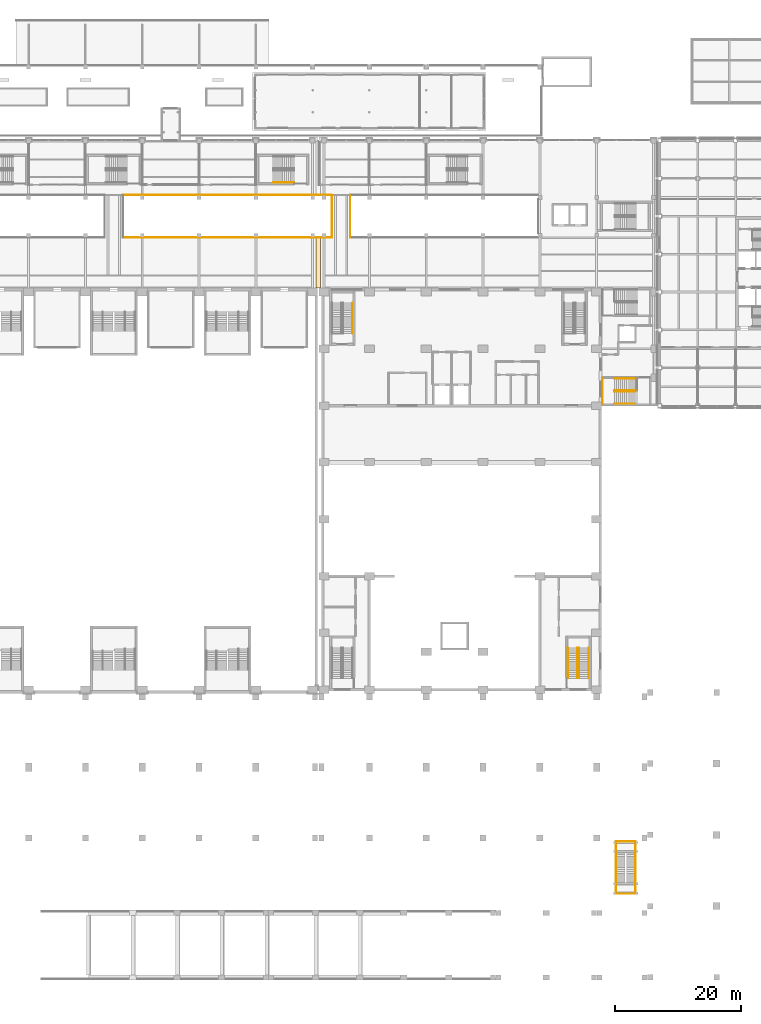
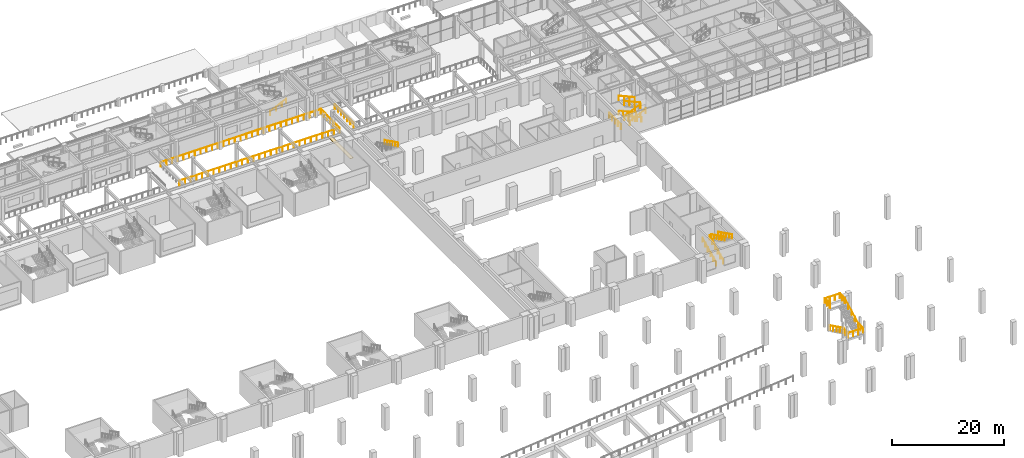
# One storey, part 58 of 67: 19 railings, 1 covering.
"""IFC4 building model written with IfcOpenShell, lengths in metres."""

from ifc_helpers import new_model, si_unit, direction, frame, origin, origin_2d, place, context, subcontext, project, spatial, polyline, circle, outline, extrude, material, layer, layer_set, type_object, element, save


model = new_model("IFC4")

# Units and contexts
model_context = context("Model", 3, precision=1e-05, world=origin(), true_north=direction((0.0, 1.0)))
body_context = subcontext(model_context, "Body", "Model", "MODEL_VIEW")
ifc_project = project(units=[si_unit("LENGTHUNIT", "METRE"), si_unit("AREAUNIT", "SQUARE_METRE"), si_unit("VOLUMEUNIT", "CUBIC_METRE"), si_unit("PLANEANGLEUNIT", "RADIAN"), si_unit("MASSUNIT", "GRAM", prefix="KILO")], contexts=[model_context])

# Site, building, storey
site_placement = place(None, origin())
site = spatial("IfcSite", under=ifc_project, at=site_placement, CompositionType="ELEMENT")
building_placement = place(site_placement, origin())
building = spatial("IfcBuilding", under=site, at=building_placement, Name="Aravalli Gate Trade Fair Centre", CompositionType="ELEMENT")
storey_placement = place(building_placement, frame((0.0, 0.0, 5.0)))
storey = spatial("IfcBuildingStorey", under=building, at=storey_placement, Name="L01", CompositionType="ELEMENT", Elevation=5.0)

# Railings
ifc_material_1 = material(Name="Steel E350", Category="steel")
railing_type_1 = type_object("IfcRailingType", Name="Concourse guard 1100", PredefinedType="GUARDRAIL", material=ifc_material_1)
railing_1_placement = place(storey_placement, frame((74.949951171875, 117.64990234375, 0.0)))
element("IfcRailing", 1, at=railing_1_placement, inside=storey, type_object=railing_type_1, Name="Atrium guard S3 L01", PredefinedType="GUARDRAIL", context=body_context, shape_type="SweptSolid", body=[
    extrude(circle(Radius=0.02392578125, at=origin_2d()), frame((0.0, 0.0, 1.076171875), z_axis=(1.0, 0.0, 0.0), x_axis=(0.0, 1.0, 0.0)), (0.0, 0.0, 1.0), 33.10009765625),
    extrude(circle(Radius=0.02099609375, at=origin_2d()), origin(), (0.0, 0.0, 1.0), 1.052001953125),
    extrude(circle(Radius=0.02099609375, at=origin_2d()), frame((1.18212890625, 0.0, 0.0)), (0.0, 0.0, 1.0), 1.052001953125),
    extrude(circle(Radius=0.02099609375, at=origin_2d()), frame((2.3642578125, 0.0, 0.0)), (0.0, 0.0, 1.0), 1.052001953125),
    extrude(circle(Radius=0.02099609375, at=origin_2d()), frame((3.54638671875, 0.0, 0.0)), (0.0, 0.0, 1.0), 1.052001953125),
    extrude(circle(Radius=0.02099609375, at=origin_2d()), frame((4.728515625, 0.0, 0.0)), (0.0, 0.0, 1.0), 1.052001953125),
    extrude(circle(Radius=0.02099609375, at=origin_2d()), frame((5.91064453125, 0.0, 0.0)), (0.0, 0.0, 1.0), 1.052001953125),
    extrude(circle(Radius=0.02099609375, at=origin_2d()), frame((7.0927734375, 0.0, 0.0)), (0.0, 0.0, 1.0), 1.052001953125),
    extrude(circle(Radius=0.02099609375, at=origin_2d()), frame((8.27490234375, 0.0, 0.0)), (0.0, 0.0, 1.0), 1.052001953125),
    extrude(circle(Radius=0.02099609375, at=origin_2d()), frame((9.457275390625, 0.0, 0.0)), (0.0, 0.0, 1.0), 1.052001953125),
    extrude(circle(Radius=0.02099609375, at=origin_2d()), frame((10.639404296875, 0.0, 0.0)), (0.0, 0.0, 1.0), 1.052001953125),
    extrude(circle(Radius=0.02099609375, at=origin_2d()), frame((11.821533203125, 0.0, 0.0)), (0.0, 0.0, 1.0), 1.052001953125),
    extrude(circle(Radius=0.02099609375, at=origin_2d()), frame((13.003662109375, 0.0, 0.0)), (0.0, 0.0, 1.0), 1.052001953125),
    extrude(circle(Radius=0.02099609375, at=origin_2d()), frame((14.185791015625, 0.0, 0.0)), (0.0, 0.0, 1.0), 1.052001953125),
    extrude(circle(Radius=0.02099609375, at=origin_2d()), frame((15.367919921875, 0.0, 0.0)), (0.0, 0.0, 1.0), 1.052001953125),
    extrude(circle(Radius=0.02099609375, at=origin_2d()), frame((16.550048828125, 0.0, 0.0)), (0.0, 0.0, 1.0), 1.052001953125),
    extrude(circle(Radius=0.02099609375, at=origin_2d()), frame((17.732177734375, 0.0, 0.0)), (0.0, 0.0, 1.0), 1.052001953125),
    extrude(circle(Radius=0.02099609375, at=origin_2d()), frame((18.914306640625, 0.0, 0.0)), (0.0, 0.0, 1.0), 1.052001953125),
    extrude(circle(Radius=0.02099609375, at=origin_2d()), frame((20.096435546875, 0.0, 0.0)), (0.0, 0.0, 1.0), 1.052001953125),
    extrude(circle(Radius=0.02099609375, at=origin_2d()), frame((21.278564453125, 0.0, 0.0)), (0.0, 0.0, 1.0), 1.052001953125),
    extrude(circle(Radius=0.02099609375, at=origin_2d()), frame((22.460693359375, 0.0, 0.0)), (0.0, 0.0, 1.0), 1.052001953125),
    extrude(circle(Radius=0.02099609375, at=origin_2d()), frame((23.642822265625, 0.0, 0.0)), (0.0, 0.0, 1.0), 1.052001953125),
    extrude(circle(Radius=0.02099609375, at=origin_2d()), frame((24.8251953125, 0.0, 0.0)), (0.0, 0.0, 1.0), 1.052001953125),
    extrude(circle(Radius=0.02099609375, at=origin_2d()), frame((26.00732421875, 0.0, 0.0)), (0.0, 0.0, 1.0), 1.052001953125),
    extrude(circle(Radius=0.02099609375, at=origin_2d()), frame((27.189453125, 0.0, 0.0)), (0.0, 0.0, 1.0), 1.052001953125),
    extrude(circle(Radius=0.02099609375, at=origin_2d()), frame((28.37158203125, 0.0, 0.0)), (0.0, 0.0, 1.0), 1.052001953125),
    extrude(circle(Radius=0.02099609375, at=origin_2d()), frame((29.5537109375, 0.0, 0.0)), (0.0, 0.0, 1.0), 1.052001953125),
    extrude(circle(Radius=0.02099609375, at=origin_2d()), frame((30.73583984375, 0.0, 0.0)), (0.0, 0.0, 1.0), 1.052001953125),
    extrude(circle(Radius=0.02099609375, at=origin_2d()), frame((31.91796875, 0.0, 0.0)), (0.0, 0.0, 1.0), 1.052001953125),
    extrude(circle(Radius=0.02099609375, at=origin_2d()), frame((33.10009765625, 0.0, 0.0)), (0.0, 0.0, 1.0), 1.052001953125),
])
railing_2_placement = place(storey_placement, frame((74.949951171875, 124.35009765625, 0.0)))
element("IfcRailing", 2, at=railing_2_placement, inside=storey, type_object=railing_type_1, Name="Atrium guard N3 L01", PredefinedType="GUARDRAIL", context=body_context, shape_type="SweptSolid", body=[
    extrude(circle(Radius=0.02392578125, at=origin_2d()), frame((0.0, 0.0, 1.076171875), z_axis=(1.0, 0.0, 0.0), x_axis=(0.0, 1.0, 0.0)), (0.0, 0.0, 1.0), 33.10009765625),
    extrude(circle(Radius=0.02099609375, at=origin_2d()), origin(), (0.0, 0.0, 1.0), 1.052001953125),
    extrude(circle(Radius=0.02099609375, at=origin_2d()), frame((1.18212890625, 0.0, 0.0)), (0.0, 0.0, 1.0), 1.052001953125),
    extrude(circle(Radius=0.02099609375, at=origin_2d()), frame((2.3642578125, 0.0, 0.0)), (0.0, 0.0, 1.0), 1.052001953125),
    extrude(circle(Radius=0.02099609375, at=origin_2d()), frame((3.54638671875, 0.0, 0.0)), (0.0, 0.0, 1.0), 1.052001953125),
    extrude(circle(Radius=0.02099609375, at=origin_2d()), frame((4.728515625, 0.0, 0.0)), (0.0, 0.0, 1.0), 1.052001953125),
    extrude(circle(Radius=0.02099609375, at=origin_2d()), frame((5.91064453125, 0.0, 0.0)), (0.0, 0.0, 1.0), 1.052001953125),
    extrude(circle(Radius=0.02099609375, at=origin_2d()), frame((7.0927734375, 0.0, 0.0)), (0.0, 0.0, 1.0), 1.052001953125),
    extrude(circle(Radius=0.02099609375, at=origin_2d()), frame((8.27490234375, 0.0, 0.0)), (0.0, 0.0, 1.0), 1.052001953125),
    extrude(circle(Radius=0.02099609375, at=origin_2d()), frame((9.457275390625, 0.0, 0.0)), (0.0, 0.0, 1.0), 1.052001953125),
    extrude(circle(Radius=0.02099609375, at=origin_2d()), frame((10.639404296875, 0.0, 0.0)), (0.0, 0.0, 1.0), 1.052001953125),
    extrude(circle(Radius=0.02099609375, at=origin_2d()), frame((11.821533203125, 0.0, 0.0)), (0.0, 0.0, 1.0), 1.052001953125),
    extrude(circle(Radius=0.02099609375, at=origin_2d()), frame((13.003662109375, 0.0, 0.0)), (0.0, 0.0, 1.0), 1.052001953125),
    extrude(circle(Radius=0.02099609375, at=origin_2d()), frame((14.185791015625, 0.0, 0.0)), (0.0, 0.0, 1.0), 1.052001953125),
    extrude(circle(Radius=0.02099609375, at=origin_2d()), frame((15.367919921875, 0.0, 0.0)), (0.0, 0.0, 1.0), 1.052001953125),
    extrude(circle(Radius=0.02099609375, at=origin_2d()), frame((16.550048828125, 0.0, 0.0)), (0.0, 0.0, 1.0), 1.052001953125),
    extrude(circle(Radius=0.02099609375, at=origin_2d()), frame((17.732177734375, 0.0, 0.0)), (0.0, 0.0, 1.0), 1.052001953125),
    extrude(circle(Radius=0.02099609375, at=origin_2d()), frame((18.914306640625, 0.0, 0.0)), (0.0, 0.0, 1.0), 1.052001953125),
    extrude(circle(Radius=0.02099609375, at=origin_2d()), frame((20.096435546875, 0.0, 0.0)), (0.0, 0.0, 1.0), 1.052001953125),
    extrude(circle(Radius=0.02099609375, at=origin_2d()), frame((21.278564453125, 0.0, 0.0)), (0.0, 0.0, 1.0), 1.052001953125),
    extrude(circle(Radius=0.02099609375, at=origin_2d()), frame((22.460693359375, 0.0, 0.0)), (0.0, 0.0, 1.0), 1.052001953125),
    extrude(circle(Radius=0.02099609375, at=origin_2d()), frame((23.642822265625, 0.0, 0.0)), (0.0, 0.0, 1.0), 1.052001953125),
    extrude(circle(Radius=0.02099609375, at=origin_2d()), frame((24.8251953125, 0.0, 0.0)), (0.0, 0.0, 1.0), 1.052001953125),
    extrude(circle(Radius=0.02099609375, at=origin_2d()), frame((26.00732421875, 0.0, 0.0)), (0.0, 0.0, 1.0), 1.052001953125),
    extrude(circle(Radius=0.02099609375, at=origin_2d()), frame((27.189453125, 0.0, 0.0)), (0.0, 0.0, 1.0), 1.052001953125),
    extrude(circle(Radius=0.02099609375, at=origin_2d()), frame((28.37158203125, 0.0, 0.0)), (0.0, 0.0, 1.0), 1.052001953125),
    extrude(circle(Radius=0.02099609375, at=origin_2d()), frame((29.5537109375, 0.0, 0.0)), (0.0, 0.0, 1.0), 1.052001953125),
    extrude(circle(Radius=0.02099609375, at=origin_2d()), frame((30.73583984375, 0.0, 0.0)), (0.0, 0.0, 1.0), 1.052001953125),
    extrude(circle(Radius=0.02099609375, at=origin_2d()), frame((31.91796875, 0.0, 0.0)), (0.0, 0.0, 1.0), 1.052001953125),
    extrude(circle(Radius=0.02099609375, at=origin_2d()), frame((33.10009765625, 0.0, 0.0)), (0.0, 0.0, 1.0), 1.052001953125),
])
for number, where, name in (
    (3, (108.050048828125, 117.64990234375, 0.0), "Atrium guard BA3 L01"),
    (4, (110.949951171875, 117.64990234375, 0.0), "Atrium guard BB3 L01"),
):
    element("IfcRailing", number, at=place(storey_placement, frame(where)), inside=storey, type_object=railing_type_1, Name=name, PredefinedType="GUARDRAIL", context=body_context, shape_type="SweptSolid", body=[
        extrude(circle(Radius=0.02392578125, at=origin_2d()), frame((0.0, 0.0, 1.076171875), z_axis=(0.0, 1.0, 0.0), x_axis=(-1.0, 0.0, 0.0)), (0.0, 0.0, 1.0), 6.7001953125),
        extrude(circle(Radius=0.02099609375, at=origin_2d()), origin(), (0.0, 0.0, 1.0), 1.052001953125),
        extrude(circle(Radius=0.02099609375, at=origin_2d()), frame((0.0, 1.11669921875, 0.0)), (0.0, 0.0, 1.0), 1.052001953125),
        extrude(circle(Radius=0.02099609375, at=origin_2d()), frame((0.0, 2.2333984375, 0.0)), (0.0, 0.0, 1.0), 1.052001953125),
        extrude(circle(Radius=0.02099609375, at=origin_2d()), frame((0.0, 3.35009765625, 0.0)), (0.0, 0.0, 1.0), 1.052001953125),
        extrude(circle(Radius=0.02099609375, at=origin_2d()), frame((0.0, 4.466796875, 0.0)), (0.0, 0.0, 1.0), 1.052001953125),
        extrude(circle(Radius=0.02099609375, at=origin_2d()), frame((0.0, 5.58349609375, 0.0)), (0.0, 0.0, 1.0), 1.052001953125),
        extrude(circle(Radius=0.02099609375, at=origin_2d()), frame((0.0, 6.7001953125, 0.0)), (0.0, 0.0, 1.0), 1.052001953125),
    ])
railing_type_2 = type_object("IfcRailingType", Name="Concourse stair handrail 900", PredefinedType="HANDRAIL", material=ifc_material_1)
railing_3_placement = place(storey_placement, frame((98.75, 126.35009765625, 1.8056640625)))
element("IfcRailing", 5, at=railing_3_placement, inside=storey, type_object=railing_type_2, Name="Handrail XD L01 flight 2o", PredefinedType="HANDRAIL", context=body_context, shape_type="SweptSolid", body=[
    extrude(circle(Radius=0.02392578125, at=origin_2d()), frame((0.0, 0.0, 0.8759765625), z_axis=(0.907499493834, 0.0, 0.420053173647), x_axis=(0.0, 1.0, 0.0)), (0.0, 0.0, 1.0), 1.322265625),
    extrude(circle(Radius=0.02392578125, at=origin_2d()), frame((1.199951171875, 0.0, 1.43115234375), z_axis=(0.907429102623, 0.0, 0.420205216189), x_axis=(0.0, 1.0, 0.0)), (0.0, 0.0, 1.0), 1.322265625),
    extrude(circle(Radius=0.02392578125, at=origin_2d()), frame((2.39990234375, 0.0, 1.98681640625), z_axis=(0.907555517655, 0.0, 0.419932116387), x_axis=(0.0, 1.0, 0.0)), (0.0, 0.0, 1.0), 0.991943359375),
    extrude(circle(Radius=0.02099609375, at=origin_2d()), origin(), (0.0, 0.0, 1.0), 0.851806640625),
    extrude(circle(Radius=0.02099609375, at=origin_2d()), frame((1.199951171875, 0.0, 0.555419921875)), (0.0, 0.0, 1.0), 0.851806640625),
    extrude(circle(Radius=0.02099609375, at=origin_2d()), frame((2.39990234375, 0.0, 1.111083984375)), (0.0, 0.0, 1.0), 0.851806640625),
    extrude(circle(Radius=0.02099609375, at=origin_2d()), frame((3.300048828125, 0.0, 1.527587890625)), (0.0, 0.0, 1.0), 0.851806640625),
])
railing_type_3 = type_object("IfcRailingType", Name="Congress stair handrail 900", PredefinedType="HANDRAIL", material=ifc_material_1)
for number, where, name in (
    (6, (145.469970703125, 47.800048828125, 0.147216796875), "Handrail GS2 L01 1"),
    (7, (146.949951171875, 47.800048828125, 0.147216796875), "Handrail GS2 L01 2"),
):
    element("IfcRailing", number, at=place(storey_placement, frame(where)), inside=storey, type_object=railing_type_3, Name=name, PredefinedType="HANDRAIL", context=body_context, shape_type="SweptSolid", body=[
        extrude(circle(Radius=0.02392578125, at=origin_2d()), frame((0.0, 0.0, 0.8759765625), z_axis=(0.0, 0.89793417156, 0.440129780343), x_axis=(-1.0, 0.0, 0.0)), (0.0, 0.0, 1.0), 5.345703125),
        extrude(circle(Radius=0.02099609375, at=origin_2d()), origin(), (0.0, 0.0, 1.0), 0.851806640625),
        extrude(circle(Radius=0.02099609375, at=origin_2d()), frame((0.0, 0.9599609375, 0.470458984375)), (0.0, 0.0, 1.0), 0.851806640625),
        extrude(circle(Radius=0.02099609375, at=origin_2d()), frame((0.0, 1.919921875, 0.941162109375)), (0.0, 0.0, 1.0), 0.851806640625),
        extrude(circle(Radius=0.02099609375, at=origin_2d()), frame((0.0, 2.880126953125, 1.41162109375)), (0.0, 0.0, 1.0), 0.851806640625),
        extrude(circle(Radius=0.02099609375, at=origin_2d()), frame((0.0, 3.840087890625, 1.88232421875)), (0.0, 0.0, 1.0), 0.851806640625),
        extrude(circle(Radius=0.02099609375, at=origin_2d()), frame((0.0, 4.800048828125, 2.352783203125)), (0.0, 0.0, 1.0), 0.851806640625),
    ])
for number, where, name in (
    (8, (148.72998046875, 52.60009765625, 2.647216796875), "Handrail GS2 L01 3"),
    (9, (147.25, 52.60009765625, 2.647216796875), "Handrail GS2 L01 4"),
    (10, (111.330078125, 107.25, 2.647216796875), "Handrail GS3 L01 3"),
):
    element("IfcRailing", number, at=place(storey_placement, frame(where)), inside=storey, type_object=railing_type_3, Name=name, PredefinedType="HANDRAIL", context=body_context, shape_type="SweptSolid", body=[
        extrude(circle(Radius=0.02392578125, at=origin_2d()), frame((0.0, 0.0, 0.8759765625), z_axis=(0.0, -0.89793417156, 0.440129780343), x_axis=(1.0, 0.0, 0.0)), (0.0, 0.0, 1.0), 5.345703125),
        extrude(circle(Radius=0.02099609375, at=origin_2d()), origin(), (0.0, 0.0, 1.0), 0.851806640625),
        extrude(circle(Radius=0.02099609375, at=origin_2d()), frame((0.0, -0.9599609375, 0.470458984375)), (0.0, 0.0, 1.0), 0.851806640625),
        extrude(circle(Radius=0.02099609375, at=origin_2d()), frame((0.0, -1.919921875, 0.941162109375)), (0.0, 0.0, 1.0), 0.851806640625),
        extrude(circle(Radius=0.02099609375, at=origin_2d()), frame((0.0, -2.880126953125, 1.41162109375)), (0.0, 0.0, 1.0), 0.851806640625),
        extrude(circle(Radius=0.02099609375, at=origin_2d()), frame((0.0, -3.840087890625, 1.88232421875)), (0.0, 0.0, 1.0), 0.851806640625),
        extrude(circle(Radius=0.02099609375, at=origin_2d()), frame((0.0, -4.800048828125, 2.352783203125)), (0.0, 0.0, 1.0), 0.851806640625),
    ])
railing_type_4 = type_object("IfcRailingType", Name="Edge guard 1100", PredefinedType="GUARDRAIL", material=ifc_material_1)
railing_4_placement = place(storey_placement, frame((153.050048828125, 20.199951171875, 0.147216796875)))
element("IfcRailing", 11, at=railing_4_placement, inside=storey, type_object=railing_type_4, Name="Stair guard 2 L01 A", PredefinedType="GUARDRAIL", context=body_context, shape_type="SweptSolid", body=[
    extrude(circle(Radius=0.02392578125, at=origin_2d()), frame((0.0, 0.0, 1.076171875), z_axis=(0.0, -0.89793417156, 0.440129780343), x_axis=(1.0, 0.0, 0.0)), (0.0, 0.0, 1.0), 5.345703125),
    extrude(circle(Radius=0.02392578125, at=origin_2d()), frame((0.0, -4.800048828125, 3.4287109375), z_axis=(0.0, -1.0, 0.0), x_axis=(1.0, 0.0, 0.0)), (0.0, 0.0, 1.0), 1.75),
    extrude(circle(Radius=0.02392578125, at=origin_2d()), frame((0.0, -6.550048828125, 3.4287109375), z_axis=(1.0, 0.0, 0.0), x_axis=(0.0, 1.0, 0.0)), (0.0, 0.0, 1.0), 3.099853515625),
    extrude(circle(Radius=0.02392578125, at=origin_2d()), frame((3.099853515625, -6.550048828125, 3.4287109375), z_axis=(0.0, 1.0, 0.0), x_axis=(-1.0, 0.0, 0.0)), (0.0, 0.0, 1.0), 1.75),
    extrude(circle(Radius=0.02392578125, at=origin_2d()), frame((3.099853515625, -4.800048828125, 3.4287109375), z_axis=(0.0, 0.886916009322, 0.46193072252), x_axis=(-1.0, 0.0, 0.0)), (0.0, 0.0, 1.0), 5.412109375),
    extrude(circle(Radius=0.02392578125, at=origin_2d()), frame((3.099853515625, 0.0, 5.9287109375), z_axis=(0.0, 1.0, 0.0), x_axis=(-1.0, 0.0, 0.0)), (0.0, 0.0, 1.0), 1.75),
    extrude(circle(Radius=0.02099609375, at=origin_2d()), origin(), (0.0, 0.0, 1.0), 1.052001953125),
    extrude(circle(Radius=0.02099609375, at=origin_2d()), frame((0.0, -1.199951171875, 0.588134765625)), (0.0, 0.0, 1.0), 1.052001953125),
    extrude(circle(Radius=0.02099609375, at=origin_2d()), frame((0.0, -2.39990234375, 1.17626953125)), (0.0, 0.0, 1.0), 1.052001953125),
    extrude(circle(Radius=0.02099609375, at=origin_2d()), frame((0.0, -3.60009765625, 1.7646484375)), (0.0, 0.0, 1.0), 1.052001953125),
    extrude(circle(Radius=0.02099609375, at=origin_2d()), frame((0.0, -4.800048828125, 2.352783203125)), (0.0, 0.0, 1.0), 1.052001953125),
    extrude(circle(Radius=0.02099609375, at=origin_2d()), frame((0.0, -5.675048828125, 2.352783203125)), (0.0, 0.0, 1.0), 1.052001953125),
    extrude(circle(Radius=0.02099609375, at=origin_2d()), frame((0.0, -6.550048828125, 2.352783203125)), (0.0, 0.0, 1.0), 1.052001953125),
    extrude(circle(Radius=0.02099609375, at=origin_2d()), frame((1.033203125, -6.550048828125, 2.352783203125)), (0.0, 0.0, 1.0), 1.052001953125),
    extrude(circle(Radius=0.02099609375, at=origin_2d()), frame((2.066650390625, -6.550048828125, 2.352783203125)), (0.0, 0.0, 1.0), 1.052001953125),
    extrude(circle(Radius=0.02099609375, at=origin_2d()), frame((3.099853515625, -6.550048828125, 2.352783203125)), (0.0, 0.0, 1.0), 1.052001953125),
    extrude(circle(Radius=0.02099609375, at=origin_2d()), frame((3.099853515625, -5.675048828125, 2.352783203125)), (0.0, 0.0, 1.0), 1.052001953125),
    extrude(circle(Radius=0.02099609375, at=origin_2d()), frame((3.099853515625, -4.800048828125, 2.352783203125)), (0.0, 0.0, 1.0), 1.052001953125),
    extrude(circle(Radius=0.02099609375, at=origin_2d()), frame((3.099853515625, -3.60009765625, 2.977783203125)), (0.0, 0.0, 1.0), 1.052001953125),
    extrude(circle(Radius=0.02099609375, at=origin_2d()), frame((3.099853515625, -2.39990234375, 3.602783203125)), (0.0, 0.0, 1.0), 1.052001953125),
    extrude(circle(Radius=0.02099609375, at=origin_2d()), frame((3.099853515625, -1.199951171875, 4.227783203125)), (0.0, 0.0, 1.0), 1.052001953125),
    extrude(circle(Radius=0.02099609375, at=origin_2d()), frame((3.099853515625, 0.0, 4.852783203125)), (0.0, 0.0, 1.0), 1.052001953125),
    extrude(circle(Radius=0.02099609375, at=origin_2d()), frame((3.099853515625, 0.875, 4.852783203125)), (0.0, 0.0, 1.0), 1.052001953125),
    extrude(circle(Radius=0.02099609375, at=origin_2d()), frame((3.099853515625, 1.75, 4.852783203125)), (0.0, 0.0, 1.0), 1.052001953125),
])
railing_5_placement = place(storey_placement, frame((153.050048828125, 20.199951171875, 5.0)))
element("IfcRailing", 12, at=railing_5_placement, inside=storey, type_object=railing_type_4, Name="Stair guard 2 L01 B", PredefinedType="GUARDRAIL", context=body_context, shape_type="SweptSolid", body=[
    extrude(circle(Radius=0.02392578125, at=origin_2d()), frame((0.0, 0.0, 1.076171875), z_axis=(0.0, 1.0, 0.0), x_axis=(-1.0, 0.0, 0.0)), (0.0, 0.0, 1.0), 1.75),
    extrude(circle(Radius=0.02392578125, at=origin_2d()), frame((0.0, 1.75, 1.076171875), z_axis=(1.0, 0.0, 0.0), x_axis=(0.0, 1.0, 0.0)), (0.0, 0.0, 1.0), 3.099853515625),
    extrude(circle(Radius=0.02099609375, at=origin_2d()), origin(), (0.0, 0.0, 1.0), 1.052001953125),
    extrude(circle(Radius=0.02099609375, at=origin_2d()), frame((0.0, 0.875, 0.0)), (0.0, 0.0, 1.0), 1.052001953125),
    extrude(circle(Radius=0.02099609375, at=origin_2d()), frame((0.0, 1.75, 0.0)), (0.0, 0.0, 1.0), 1.052001953125),
    extrude(circle(Radius=0.02099609375, at=origin_2d()), frame((1.033203125, 1.75, 0.0)), (0.0, 0.0, 1.0), 1.052001953125),
    extrude(circle(Radius=0.02099609375, at=origin_2d()), frame((2.066650390625, 1.75, 0.0)), (0.0, 0.0, 1.0), 1.052001953125),
    extrude(circle(Radius=0.02099609375, at=origin_2d()), frame((3.099853515625, 1.75, 0.0)), (0.0, 0.0, 1.0), 1.052001953125),
])

# Covering
ifc_material_2 = material(Name="Stainless steel", Category="steel")
ifc_layer = layer(ifc_material_2, 0.010009765625)
ifc_layer_set = layer_set([ifc_layer], Name="Stainless steel")
covering_type = type_object("IfcCoveringType", Name="Joint cover plate, stainless steel 10", PredefinedType="FLOORING", material=ifc_layer_set)
covering_placement = place(storey_placement, origin())
element("IfcCovering", 13, at=covering_placement, inside=storey, type_object=covering_type, Name="Joint cover plate J2 L01 1", PredefinedType="FLOORING", context=body_context, shape_type="SweptSolid", body=[
    extrude(outline(polyline([(106.25, 109.60009765625), (106.25, 117.699951171875), (105.550048828125, 117.699951171875), (105.550048828125, 109.60009765625), (106.25, 109.60009765625)])), origin(), (0.0, 0.0, 1.0), 0.010009765625),
])

# Railings
railing_type_5 = type_object("IfcRailingType", Name="Wing stair handrail", PredefinedType="HANDRAIL", material=ifc_material_1)
for number, where, name in (
    (14, (156.39697265625, 93.409912109375, 0.14697265625), "Handrail LA L01 1a"),
    (15, (156.39697265625, 95.2900390625, 0.14697265625), "Handrail LA L01 1b"),
):
    element("IfcRailing", number, at=place(storey_placement, frame(where)), inside=storey, type_object=railing_type_5, Name=name, PredefinedType="HANDRAIL", context=body_context, shape_type="SweptSolid", body=[
        extrude(circle(Radius=0.02392578125, at=origin_2d()), frame((0.0, 0.0, 0.92578125), z_axis=(-0.91201066968, 0.0, 0.410166476434), x_axis=(0.0, -1.0, 0.0)), (0.0, 0.0, 1.0), 3.94384765625),
        extrude(circle(Radius=0.02099609375, at=origin_2d()), origin(), (0.0, 0.0, 1.0), 0.90185546875),
        extrude(circle(Radius=0.02099609375, at=origin_2d()), frame((-0.899169921875, 0.0, 0.404296875)), (0.0, 0.0, 1.0), 0.90185546875),
        extrude(circle(Radius=0.02099609375, at=origin_2d()), frame((-1.79833984375, 0.0, 0.808837890625)), (0.0, 0.0, 1.0), 0.90185546875),
        extrude(circle(Radius=0.02099609375, at=origin_2d()), frame((-2.69775390625, 0.0, 1.21337890625)), (0.0, 0.0, 1.0), 0.90185546875),
        extrude(circle(Radius=0.02099609375, at=origin_2d()), frame((-3.596923828125, 0.0, 1.61767578125)), (0.0, 0.0, 1.0), 0.90185546875),
    ])
for number, where, name in (
    (16, (152.800048828125, 91.31005859375, 1.911865234375), "Handrail LA L01 2a"),
    (17, (152.800048828125, 93.18994140625, 1.911865234375), "Handrail LA L01 2b"),
):
    element("IfcRailing", number, at=place(storey_placement, frame(where)), inside=storey, type_object=railing_type_5, Name=name, PredefinedType="HANDRAIL", context=body_context, shape_type="SweptSolid", body=[
        extrude(circle(Radius=0.02392578125, at=origin_2d()), frame((0.0, 0.0, 0.92578125), z_axis=(0.912031043563, 0.0, 0.410121171822), x_axis=(0.0, 1.0, 0.0)), (0.0, 0.0, 1.0), 3.58544921875),
        extrude(circle(Radius=0.02099609375, at=origin_2d()), origin(), (0.0, 0.0, 1.0), 0.90185546875),
        extrude(circle(Radius=0.02099609375, at=origin_2d()), frame((1.090087890625, 0.0, 0.490234375)), (0.0, 0.0, 1.0), 0.90185546875),
        extrude(circle(Radius=0.02099609375, at=origin_2d()), frame((2.179931640625, 0.0, 0.980224609375)), (0.0, 0.0, 1.0), 0.90185546875),
        extrude(circle(Radius=0.02099609375, at=origin_2d()), frame((3.27001953125, 0.0, 1.470458984375)), (0.0, 0.0, 1.0), 0.90185546875),
    ])
for number, where, name in (
    (18, (156.070068359375, 93.409912109375, 3.529296875), "Handrail LA L01 3a"),
    (19, (156.070068359375, 95.2900390625, 3.529296875), "Handrail LA L01 3b"),
):
    element("IfcRailing", number, at=place(storey_placement, frame(where)), inside=storey, type_object=railing_type_5, Name=name, PredefinedType="HANDRAIL", context=body_context, shape_type="SweptSolid", body=[
        extrude(circle(Radius=0.02392578125, at=origin_2d()), frame((0.0, 0.0, 0.92578125), z_axis=(-0.912005572974, 0.0, 0.410177808839), x_axis=(0.0, -1.0, 0.0)), (0.0, 0.0, 1.0), 3.58544921875),
        extrude(circle(Radius=0.02099609375, at=origin_2d()), origin(), (0.0, 0.0, 1.0), 0.90185546875),
        extrude(circle(Radius=0.02099609375, at=origin_2d()), frame((-1.090087890625, 0.0, 0.490234375)), (0.0, 0.0, 1.0), 0.90185546875),
        extrude(circle(Radius=0.02099609375, at=origin_2d()), frame((-2.179931640625, 0.0, 0.98046875)), (0.0, 0.0, 1.0), 0.90185546875),
        extrude(circle(Radius=0.02099609375, at=origin_2d()), frame((-3.27001953125, 0.0, 1.470703125)), (0.0, 0.0, 1.0), 0.90185546875),
    ])
railing_type_6 = type_object("IfcRailingType", Name="Wing stair roof guard", PredefinedType="GUARDRAIL", material=ifc_material_1)
railing_6_placement = place(storey_placement, frame((150.89990234375, 91.25, 1.7646484375)))
element("IfcRailing", 20, at=railing_6_placement, inside=storey, type_object=railing_type_6, Name="Guard LA landing L01 west edge 2", PredefinedType="GUARDRAIL", context=body_context, shape_type="SweptSolid", body=[
    extrude(circle(Radius=0.02392578125, at=origin_2d()), frame((0.0, 0.0, 1.076171875), z_axis=(0.0, 1.0, 0.0), x_axis=(-1.0, 0.0, 0.0)), (0.0, 0.0, 1.0), 4.10009765625),
    extrude(circle(Radius=0.02099609375, at=origin_2d()), origin(), (0.0, 0.0, 1.0), 1.052001953125),
    extrude(circle(Radius=0.02099609375, at=origin_2d()), frame((0.0, 1.02490234375, 0.0)), (0.0, 0.0, 1.0), 1.052001953125),
    extrude(circle(Radius=0.02099609375, at=origin_2d()), frame((0.0, 2.050048828125, 0.0)), (0.0, 0.0, 1.0), 1.052001953125),
    extrude(circle(Radius=0.02099609375, at=origin_2d()), frame((0.0, 3.0751953125, 0.0)), (0.0, 0.0, 1.0), 1.052001953125),
    extrude(circle(Radius=0.02099609375, at=origin_2d()), frame((0.0, 4.10009765625, 0.0)), (0.0, 0.0, 1.0), 1.052001953125),
])

save(model, "model.ifc")
